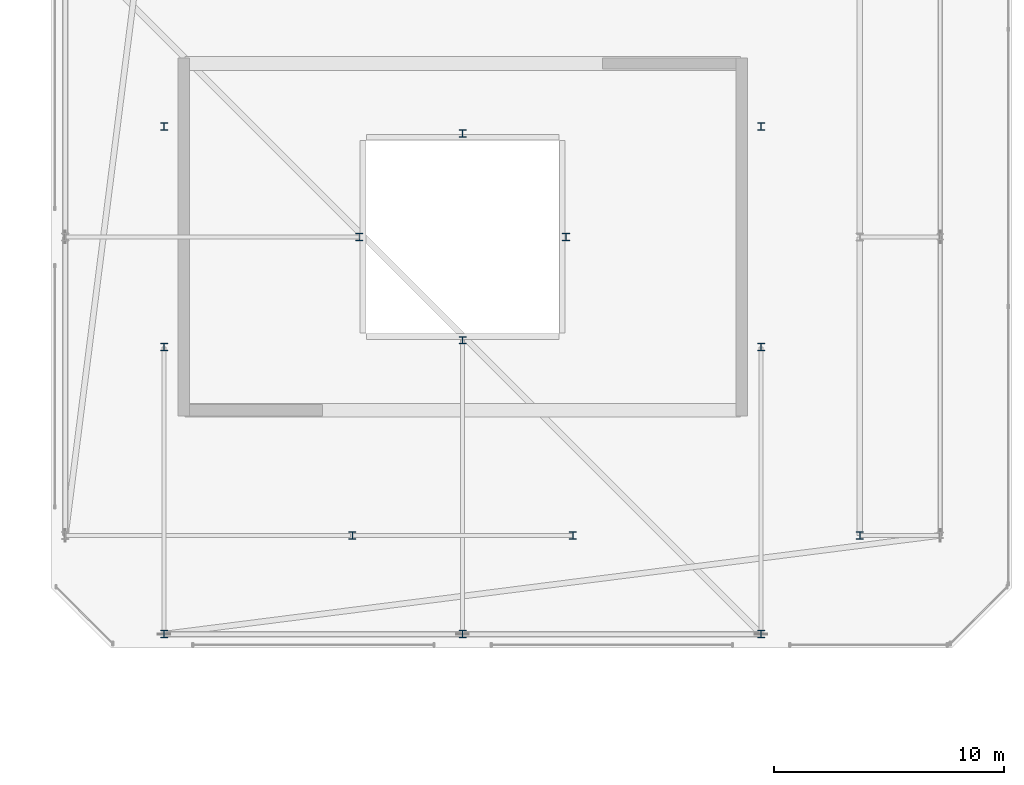
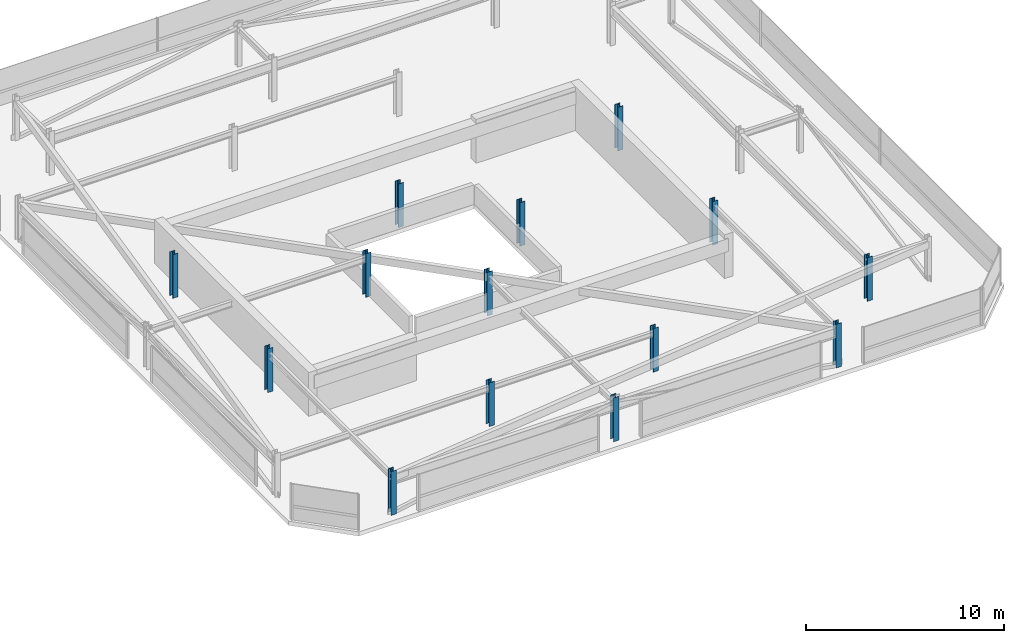
# One storey, part 6 of 44: 14 columns.
"""IFC4 building model written with IfcOpenShell, lengths in metres."""

from ifc_helpers import new_model, si_unit, direction, frame, origin, origin_2d, place, context, subcontext, project, spatial, i_section, extrude, material, material_profile, profile_set, type_object, element, save


model = new_model("IFC4")

# Units and contexts
model_context = context("Model", 3, precision=1e-05, world=origin(), true_north=direction((0.0, 1.0)))
body_context = subcontext(model_context, "Body", "Model", "MODEL_VIEW")
ifc_project = project(units=[si_unit("LENGTHUNIT", "METRE"), si_unit("AREAUNIT", "SQUARE_METRE"), si_unit("VOLUMEUNIT", "CUBIC_METRE"), si_unit("PLANEANGLEUNIT", "RADIAN"), si_unit("MASSUNIT", "GRAM", prefix="KILO")], contexts=[model_context])

# Site, building, storey
site_placement = place(None, origin())
site = spatial("IfcSite", under=ifc_project, at=site_placement, CompositionType="ELEMENT")
building_placement = place(site_placement, origin())
building = spatial("IfcBuilding", under=site, at=building_placement, Name="Thornwick Lancets Civic Towers", CompositionType="ELEMENT")
storey_placement = place(building_placement, frame((0.0, 0.0, 292.199951171875)))
storey = spatial("IfcBuildingStorey", under=building, at=storey_placement, Name="C05", CompositionType="ELEMENT", Elevation=292.199951171875)

# Columns
ifc_material = material(Name="Steel S355JR", Category="steel")
ifc_material_profile = material_profile(ifc_material, i_section(OverallWidth=0.30908203125, OverallDepth=0.320556640625, WebThickness=0.013916015625, FlangeThickness=0.021728515625, FilletRadius=0.01513671875, at=origin_2d()), Name="UKC 305x305x137")
ifc_profile_set = profile_set([ifc_material_profile], Name="Steel S355JR")
column_type = type_object("IfcColumnType", Name="COL_UKC_137", PredefinedType="COLUMN", material=ifc_profile_set)
for number, where, z_axis, x_axis, name in (
    (1, (105.800048828125, 14.0, 0.0), (0.0, 0.0, 1.0), (1.0, 0.0, 0.0), "C05 Spine Mega-Column B01"),
    (2, (101.5, 9.699951171875, 0.0), (0.0, 0.0, 1.0), (1.0, 0.0, 0.0), "C05 Spine Mega-Column B10"),
    (3, (88.5, 9.699951171875, 0.0), (0.0, 0.0, 1.0), (1.0, 0.0, 0.0), "C05 Spine Mega-Column B11"),
    (4, (75.5, 9.699951171875, 0.0), (0.0, 0.0, 1.0), (1.0, 0.0, 0.0), "C05 Spine Mega-Column B12"),
    (5, (93.300048828125, 14.0, 0.0), (0.0, 0.0, 1.0), (1.0, 0.0, 0.0), "C05 Spine Mega-Column B13"),
    (6, (83.699951171875, 14.0, 0.0), (0.0, 0.0, 1.0), (1.0, 0.0, 0.0), "C05 Spine Mega-Column B15"),
    (7, (101.5, 22.199951171875, 0.0), (0.0, 0.0, 1.0), (1.0, 0.0, 0.0), "C05 Spine Mega-Column B17"),
    (8, (101.5, 31.800048828125, 0.0), (0.0, 0.0, 1.0), (1.0, 0.0, 0.0), "C05 Spine Mega-Column B18"),
    (9, (75.5, 22.199951171875, 0.0), (0.0, 0.0, 1.0), (1.0, 0.0, 0.0), "C05 Spine Mega-Column B19"),
    (10, (75.5, 31.800048828125, 0.0), (0.0, 0.0, 1.0), (1.0, 0.0, 0.0), "C05 Spine Mega-Column B20"),
    (11, (93.0, 27.0, 0.0), (0.0, 0.0, 1.0), (1.0, 0.0, 0.0), "C05 Spine Mega-Column B21"),
    (12, (84.0, 27.0, 0.0), (0.0, 0.0, 1.0), (1.0, 0.0, 0.0), "C05 Spine Mega-Column B22"),
    (13, (88.5, 22.5, 0.0), (0.0, 0.0, 1.0), (1.0, 0.0, 0.0), "C05 Spine Mega-Column B23"),
    (14, (88.5, 31.5, 0.0), (0.0, 0.0, 1.0), (1.0, 0.0, 0.0), "C05 Spine Mega-Column B24"),
):
    element("IfcColumn", number, at=place(storey_placement, frame(where, z_axis=z_axis, x_axis=x_axis)), inside=storey, type_object=column_type, Name=name, PredefinedType="COLUMN", context=body_context, shape_type="SweptSolid", body=[
        extrude(i_section(OverallWidth=0.30908203125, OverallDepth=0.320556640625, WebThickness=0.013916015625, FlangeThickness=0.021728515625, FilletRadius=0.01513671875, at=origin_2d()), origin(), (0.0, 0.0, 1.0), 2.699951171875),
    ])

save(model, "model.ifc")
